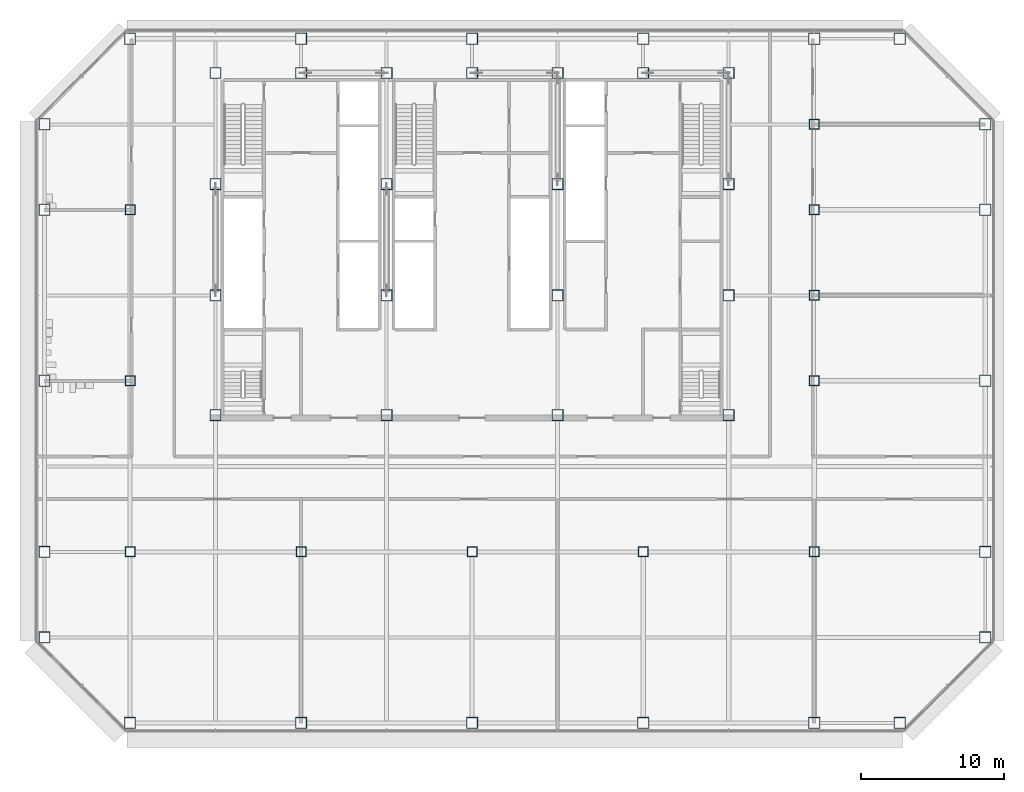
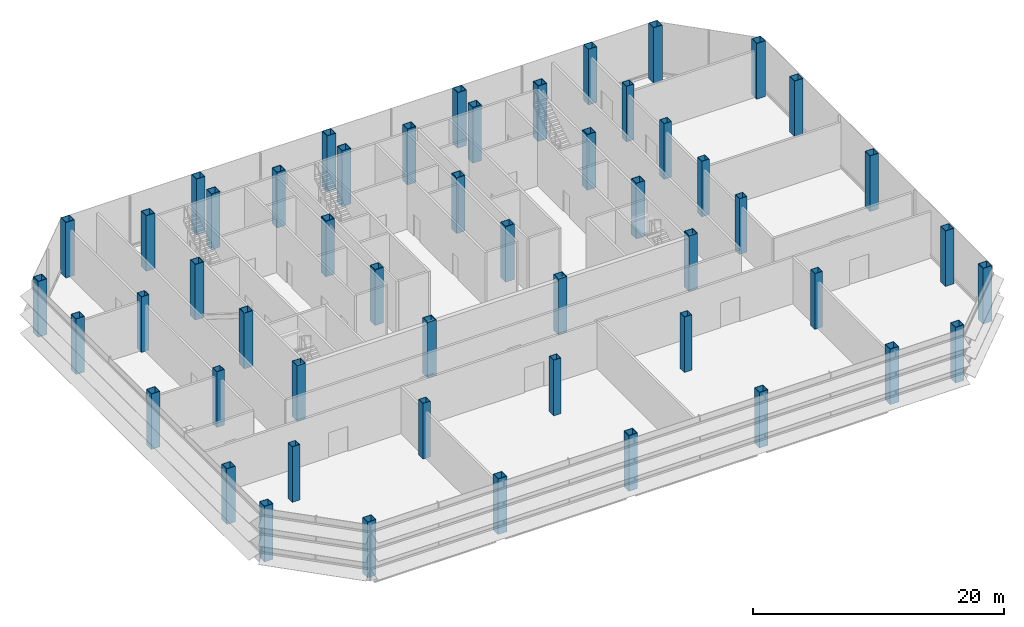
# One storey, part 1 of 23: 52 columns.
"""IFC4 building model written with IfcOpenShell, lengths in metres."""

from ifc_helpers import new_model, si_unit, direction, frame, origin, origin_2d, place, context, subcontext, project, spatial, hollow_rectangle, extrude, material, material_profile, profile_set, type_object, element, save


model = new_model("IFC4")

# Units and contexts
model_context = context("Model", 3, precision=1e-05, world=origin(), true_north=direction((0.0, 1.0)))
body_context = subcontext(model_context, "Body", "Model", "MODEL_VIEW")
ifc_project = project(units=[si_unit("LENGTHUNIT", "METRE"), si_unit("AREAUNIT", "SQUARE_METRE"), si_unit("VOLUMEUNIT", "CUBIC_METRE"), si_unit("PLANEANGLEUNIT", "RADIAN"), si_unit("MASSUNIT", "GRAM", prefix="KILO")], contexts=[model_context])

# Site, building, storey
site_placement = place(None, origin())
site = spatial("IfcSite", under=ifc_project, at=site_placement, CompositionType="ELEMENT")
building_placement = place(site_placement, origin())
building = spatial("IfcBuilding", under=site, at=building_placement, Name="Sorahane Residences", CompositionType="ELEMENT")
storey_placement = place(building_placement, frame((0.0, 0.0, 114.199951171875)))
storey = spatial("IfcBuildingStorey", under=building, at=storey_placement, Name="L25", CompositionType="ELEMENT", Elevation=114.199951171875)

# Columns
ifc_material_1 = material(Name="Steel Q355B", Category="steel")
ifc_material_profile_1 = material_profile(ifc_material_1, hollow_rectangle(XDim=0.699951171875, YDim=0.699951171875, WallThickness=0.035888671875, at=origin_2d()), Name="BOX 700x700x36")
ifc_profile_set_1 = profile_set([ifc_material_profile_1], Name="Steel Q355B")
column_type_1 = type_object("IfcColumnType", Name="Steel box column BOX 700x700x36 Q355B", PredefinedType="COLUMN", material=ifc_profile_set_1)
for number, where, z_axis, x_axis, name in (
    (1, (0.0, 12.0, 0.0), (0.0, 0.0, 1.0), (1.0, 0.0, 0.0), "Column L25 0/12"),
    (2, (0.0, 24.0, 0.0), (0.0, 0.0, 1.0), (1.0, 0.0, 0.0), "Column L25 0/24"),
    (3, (0.0, 36.0, 0.0), (0.0, 0.0, 1.0), (1.0, 0.0, 0.0), "Column L25 0/36"),
    (4, (12.0, 12.0, 0.0), (0.0, 0.0, 1.0), (1.0, 0.0, 0.0), "Column L25 12/12"),
    (5, (24.0, 12.0, 0.0), (0.0, 0.0, 1.0), (1.0, 0.0, 0.0), "Column L25 24/12"),
    (6, (36.0, 12.0, 0.0), (0.0, 0.0, 1.0), (1.0, 0.0, 0.0), "Column L25 36/12"),
    (7, (48.0, 12.0, 0.0), (0.0, 0.0, 1.0), (1.0, 0.0, 0.0), "Column L25 48/12"),
    (8, (48.0, 24.0, 0.0), (0.0, 0.0, 1.0), (1.0, 0.0, 0.0), "Column L25 48/24"),
    (9, (48.0, 30.0, 0.0), (0.0, 0.0, 1.0), (1.0, 0.0, 0.0), "Column L25 48/30"),
    (10, (48.0, 36.0, 0.0), (0.0, 0.0, 1.0), (1.0, 0.0, 0.0), "Column L25 48/36"),
    (11, (48.0, 42.0, 0.0), (0.0, 0.0, 1.0), (1.0, 0.0, 0.0), "Column L25 48/42"),
):
    element("IfcColumn", number, at=place(storey_placement, frame(where, z_axis=z_axis, x_axis=x_axis)), inside=storey, type_object=column_type_1, Name=name, PredefinedType="COLUMN", context=body_context, shape_type="SweptSolid", body=[
        extrude(hollow_rectangle(XDim=0.699951171875, YDim=0.699951171875, WallThickness=0.035888671875, at=origin_2d()), origin(), (0.0, 0.0, 1.0), 5.400146484375),
    ])
ifc_material_2 = material(Name="Steel Q355B", Category="steel")
ifc_material_profile_2 = material_profile(ifc_material_2, hollow_rectangle(XDim=0.800048828125, YDim=0.800048828125, WallThickness=0.0400390625, at=origin_2d()), Name="BOX 800x800x40")
ifc_profile_set_2 = profile_set([ifc_material_profile_2], Name="Steel Q355B")
column_type_2 = type_object("IfcColumnType", Name="Steel box column BOX 800x800x40 Q355B", PredefinedType="COLUMN", material=ifc_profile_set_2)
for number, where, z_axis, x_axis, name in (
    (12, (-6.0, 6.0, 0.0), (0.0, 0.0, 1.0), (1.0, 0.0, 0.0), "Column L25 m6/6"),
    (13, (-6.0, 12.0, 0.0), (0.0, 0.0, 1.0), (1.0, 0.0, 0.0), "Column L25 m6/12"),
    (14, (-6.0, 24.0, 0.0), (0.0, 0.0, 1.0), (1.0, 0.0, 0.0), "Column L25 m6/24"),
    (15, (-6.0, 36.0, 0.0), (0.0, 0.0, 1.0), (1.0, 0.0, 0.0), "Column L25 m6/36"),
    (16, (-6.0, 42.0, 0.0), (0.0, 0.0, 1.0), (1.0, 0.0, 0.0), "Column L25 m6/42"),
    (17, (0.0, 0.0, 0.0), (0.0, 0.0, 1.0), (1.0, 0.0, 0.0), "Column L25 0/0"),
    (18, (0.0, 48.0, 0.0), (0.0, 0.0, 1.0), (1.0, 0.0, 0.0), "Column L25 0/48"),
    (19, (12.0, 0.0, 0.0), (0.0, 0.0, 1.0), (1.0, 0.0, 0.0), "Column L25 12/0"),
    (20, (12.0, 48.0, 0.0), (0.0, 0.0, 1.0), (1.0, 0.0, 0.0), "Column L25 12/48"),
    (21, (24.0, 0.0, 0.0), (0.0, 0.0, 1.0), (1.0, 0.0, 0.0), "Column L25 24/0"),
    (22, (24.0, 48.0, 0.0), (0.0, 0.0, 1.0), (1.0, 0.0, 0.0), "Column L25 24/48"),
    (23, (36.0, 0.0, 0.0), (0.0, 0.0, 1.0), (1.0, 0.0, 0.0), "Column L25 36/0"),
    (24, (36.0, 48.0, 0.0), (0.0, 0.0, 1.0), (1.0, 0.0, 0.0), "Column L25 36/48"),
    (25, (48.0, 0.0, 0.0), (0.0, 0.0, 1.0), (1.0, 0.0, 0.0), "Column L25 48/0"),
    (26, (48.0, 48.0, 0.0), (0.0, 0.0, 1.0), (1.0, 0.0, 0.0), "Column L25 48/48"),
    (27, (54.0, 0.0, 0.0), (0.0, 0.0, 1.0), (1.0, 0.0, 0.0), "Column L25 54/0"),
    (28, (54.0, 48.0, 0.0), (0.0, 0.0, 1.0), (1.0, 0.0, 0.0), "Column L25 54/48"),
    (29, (60.0, 6.0, 0.0), (0.0, 0.0, 1.0), (1.0, 0.0, 0.0), "Column L25 60/6"),
    (30, (60.0, 12.0, 0.0), (0.0, 0.0, 1.0), (1.0, 0.0, 0.0), "Column L25 60/12"),
    (31, (60.0, 24.0, 0.0), (0.0, 0.0, 1.0), (1.0, 0.0, 0.0), "Column L25 60/24"),
    (32, (60.0, 36.0, 0.0), (0.0, 0.0, 1.0), (1.0, 0.0, 0.0), "Column L25 60/36"),
    (33, (60.0, 42.0, 0.0), (0.0, 0.0, 1.0), (1.0, 0.0, 0.0), "Column L25 60/42"),
):
    element("IfcColumn", number, at=place(storey_placement, frame(where, z_axis=z_axis, x_axis=x_axis)), inside=storey, type_object=column_type_2, Name=name, PredefinedType="COLUMN", context=body_context, shape_type="SweptSolid", body=[
        extrude(hollow_rectangle(XDim=0.800048828125, YDim=0.800048828125, WallThickness=0.0400390625, at=origin_2d()), origin(), (0.0, 0.0, 1.0), 5.400146484375),
    ])
ifc_material_3 = material(Name="Steel Q420GJ", Category="steel")
ifc_material_profile_3 = material_profile(ifc_material_3, hollow_rectangle(XDim=0.800048828125, YDim=0.800048828125, WallThickness=0.050048828125, at=origin_2d()), Name="BOX 800x800x50")
ifc_profile_set_3 = profile_set([ifc_material_profile_3], Name="Steel Q420GJ")
column_type_3 = type_object("IfcColumnType", Name="Steel box column BOX 800x800x50 Q420GJ", PredefinedType="COLUMN", material=ifc_profile_set_3)
for number, where, z_axis, x_axis, name in (
    (34, (6.0, 21.60009765625, 0.0), (0.0, 0.0, 1.0), (1.0, 0.0, 0.0), "Column L25 6/21.6"),
    (35, (6.0, 30.0, 0.0), (0.0, 0.0, 1.0), (1.0, 0.0, 0.0), "Column L25 6/30"),
    (36, (6.0, 37.800048828125, 0.0), (0.0, 0.0, 1.0), (1.0, 0.0, 0.0), "Column L25 6/37.8"),
    (37, (6.0, 45.60009765625, 0.0), (0.0, 0.0, 1.0), (1.0, 0.0, 0.0), "Column L25 6/45.6"),
    (38, (12.0, 45.60009765625, 0.0), (0.0, 0.0, 1.0), (1.0, 0.0, 0.0), "Column L25 12/45.6"),
    (39, (18.0, 21.60009765625, 0.0), (0.0, 0.0, 1.0), (1.0, 0.0, 0.0), "Column L25 18/21.6"),
    (40, (18.0, 30.0, 0.0), (0.0, 0.0, 1.0), (1.0, 0.0, 0.0), "Column L25 18/30"),
    (41, (18.0, 37.800048828125, 0.0), (0.0, 0.0, 1.0), (1.0, 0.0, 0.0), "Column L25 18/37.8"),
    (42, (18.0, 45.60009765625, 0.0), (0.0, 0.0, 1.0), (1.0, 0.0, 0.0), "Column L25 18/45.6"),
    (43, (24.0, 45.60009765625, 0.0), (0.0, 0.0, 1.0), (1.0, 0.0, 0.0), "Column L25 24/45.6"),
    (44, (30.0, 21.60009765625, 0.0), (0.0, 0.0, 1.0), (1.0, 0.0, 0.0), "Column L25 30/21.6"),
    (45, (30.0, 30.0, 0.0), (0.0, 0.0, 1.0), (1.0, 0.0, 0.0), "Column L25 30/30"),
    (46, (30.0, 37.800048828125, 0.0), (0.0, 0.0, 1.0), (1.0, 0.0, 0.0), "Column L25 30/37.8"),
    (47, (30.0, 45.60009765625, 0.0), (0.0, 0.0, 1.0), (1.0, 0.0, 0.0), "Column L25 30/45.6"),
    (48, (36.0, 45.60009765625, 0.0), (0.0, 0.0, 1.0), (1.0, 0.0, 0.0), "Column L25 36/45.6"),
    (49, (42.0, 21.60009765625, 0.0), (0.0, 0.0, 1.0), (1.0, 0.0, 0.0), "Column L25 42/21.6"),
    (50, (42.0, 30.0, 0.0), (0.0, 0.0, 1.0), (1.0, 0.0, 0.0), "Column L25 42/30"),
    (51, (42.0, 37.800048828125, 0.0), (0.0, 0.0, 1.0), (1.0, 0.0, 0.0), "Column L25 42/37.8"),
    (52, (42.0, 45.60009765625, 0.0), (0.0, 0.0, 1.0), (1.0, 0.0, 0.0), "Column L25 42/45.6"),
):
    element("IfcColumn", number, at=place(storey_placement, frame(where, z_axis=z_axis, x_axis=x_axis)), inside=storey, type_object=column_type_3, Name=name, PredefinedType="COLUMN", context=body_context, shape_type="SweptSolid", body=[
        extrude(hollow_rectangle(XDim=0.800048828125, YDim=0.800048828125, WallThickness=0.050048828125, at=origin_2d()), origin(), (0.0, 0.0, 1.0), 5.400146484375),
    ])

save(model, "model.ifc")
